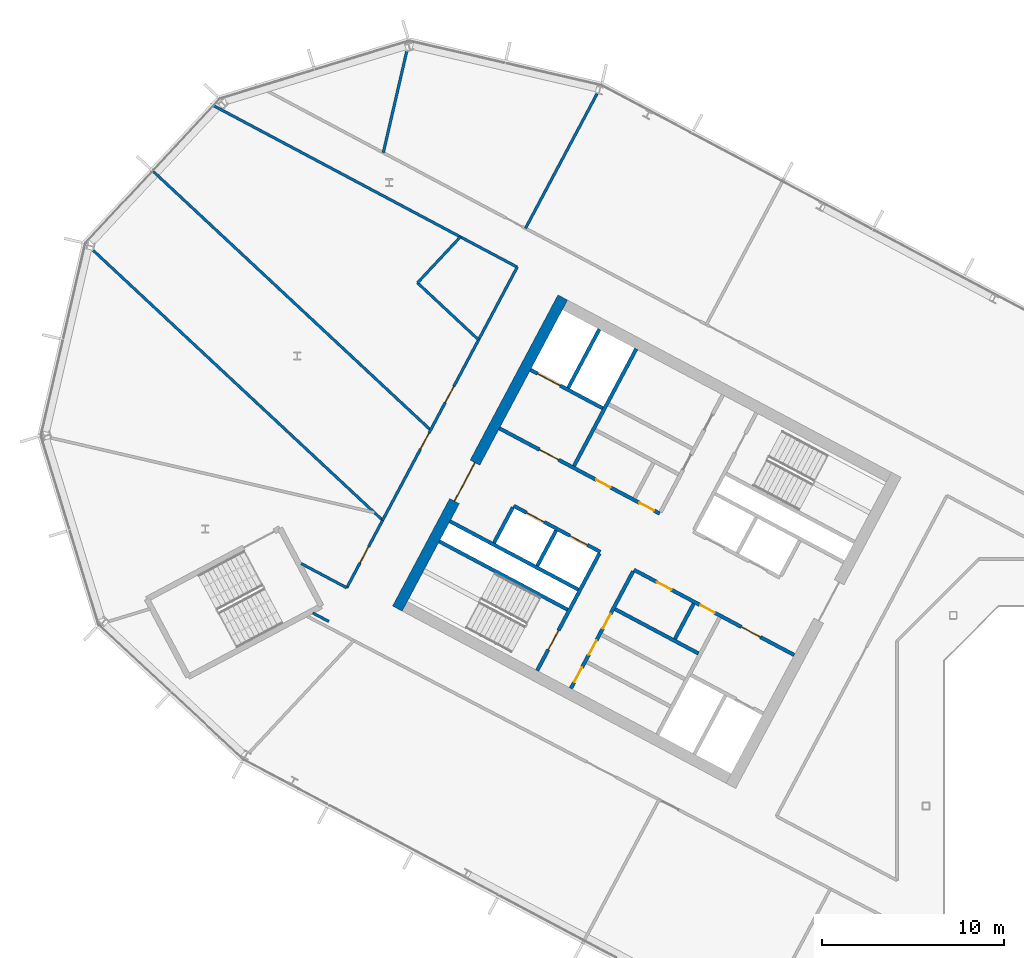
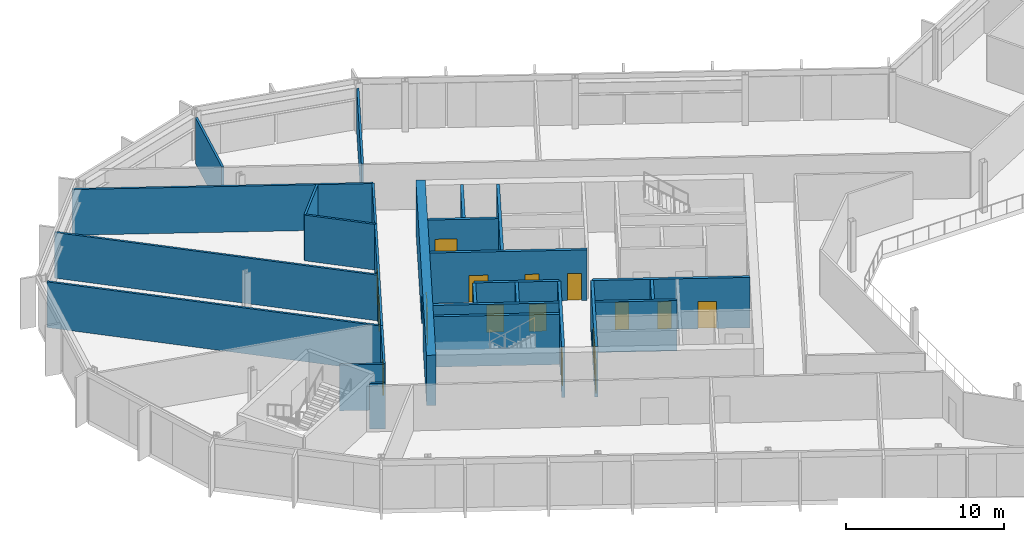
# One storey, part 14 of 27: 26 walls, 17 doors, 17 openings.
"""IFC4 building model written with IfcOpenShell, lengths in metres."""

from ifc_helpers import new_model, si_unit, direction, frame, frame_2d, origin, place, context, subcontext, project, spatial, rectangle, extrude, material, layer, layer_set, type_object, element, fill, save


model = new_model("IFC4")

# Units and contexts
model_context = context("Model", 3, precision=1e-05, world=origin(), true_north=direction((0.0, 1.0)))
body_context = subcontext(model_context, "Body", "Model", "MODEL_VIEW")
ifc_project = project(units=[si_unit("LENGTHUNIT", "METRE"), si_unit("AREAUNIT", "SQUARE_METRE"), si_unit("VOLUMEUNIT", "CUBIC_METRE"), si_unit("PLANEANGLEUNIT", "RADIAN"), si_unit("MASSUNIT", "GRAM", prefix="KILO")], contexts=[model_context])

# Site, building, storey
site_placement = place(None, origin())
site = spatial("IfcSite", under=ifc_project, at=site_placement, CompositionType="ELEMENT")
building_placement = place(site_placement, origin())
building = spatial("IfcBuilding", under=site, at=building_placement, Name="Cormorant Relay Tower", CompositionType="ELEMENT")
storey_placement = place(building_placement, frame((0.0, 0.0, 216.89990234375)))
storey = spatial("IfcBuildingStorey", under=building, at=storey_placement, Name="L47", CompositionType="ELEMENT", Elevation=216.89990234375)

# Walls
ifc_material_1 = material(Name="Concrete 40 MPa", Category="concrete")
ifc_layer_1 = layer(ifc_material_1, 0.199951171875)
ifc_layer_set_1 = layer_set([ifc_layer_1], Name="Core internal wall 200")
wall_type_1 = type_object("IfcWallType", Name="Core internal wall 200", PredefinedType="SOLIDWALL", material=ifc_layer_set_1)
for number, where, z_axis, x_axis, name in (
    (1, (-24.79052734375, 11.142822265625, 0.0), (0.0, 0.0, 1.0), (-0.469487830541, -0.882938942948, 0.0), "L47 core A shaft and room wall"),
    (2, (-32.3662109375, 15.1708984375, 0.0), (0.0, 0.0, 1.0), (-0.469487830541, -0.882938942948, 0.0), "L47 core A shaft and room wall"),
):
    element("IfcWall", number, at=place(storey_placement, frame(where, z_axis=z_axis, x_axis=x_axis)), inside=storey, type_object=wall_type_1, Name=name, PredefinedType="SOLIDWALL", context=body_context, shape_type="SweptSolid", body=[
        extrude(rectangle(XDim=2.2001953125, YDim=0.199951171875, at=frame_2d((1.10009765625, 0.0))), origin(), (0.0, 0.0, 1.0), 3.900146484375),
    ])

# Wall, openings, doors
ifc_material_2 = material(Name="Concrete 50 MPa", Category="concrete")
ifc_layer_2 = layer(ifc_material_2, 0.199951171875)
ifc_layer_set_2 = layer_set([ifc_layer_2], Name="Core shaft wall 200")
wall_type_2 = type_object("IfcWallType", Name="Core shaft wall 200", PredefinedType="SHEAR", material=ifc_layer_set_2)
wall_1_placement = place(storey_placement, frame((-28.128173828125, 12.91748046875, 0.0), z_axis=(0.0, 0.0, 1.0), x_axis=(-0.469454336211, -0.882956752176, 0.0)))
wall_1 = element("IfcWall", 3, at=wall_1_placement, inside=storey, type_object=wall_type_2, Name="L47 core A shaft wall", PredefinedType="SHEAR", context=body_context, shape_type="SweptSolid", body=[
    extrude(rectangle(XDim=7.300048828125, YDim=0.199951171875, at=frame_2d((3.64990234375, 0.0))), origin(), (0.0, 0.0, 1.0), 3.900146484375),
])
opening_1_placement = place(wall_1_placement, frame((2.64990234375, 0.0, 0.0)))
opening_1 = element("IfcOpeningElement", 4, at=opening_1_placement, cuts=wall_1, Name="Opening CDD-268", PredefinedType="OPENING", context=body_context, shape_type="SweptSolid", body=[
    extrude(rectangle(XDim=0.89990234375, YDim=2.10009765625, at=frame_2d((0.449951171875, 1.050048828125))), frame((0.0, 0.10986328125, 0.0), z_axis=(0.0, -1.0, 0.0), x_axis=(1.0, 0.0, 0.0)), (0.0, 0.0, 1.0), 0.219970703125),
])
opening_2_placement = place(wall_1_placement, frame((4.300048828125, 0.0, 0.0)))
opening_2 = element("IfcOpeningElement", 5, at=opening_2_placement, cuts=wall_1, Name="Opening CDD-269", PredefinedType="OPENING", context=body_context, shape_type="SweptSolid", body=[
    extrude(rectangle(XDim=0.89990234375, YDim=2.10009765625, at=frame_2d((0.449951171875, 1.050048828125))), frame((0.0, 0.10986328125, 0.0), z_axis=(0.0, -1.0, 0.0), x_axis=(1.0, 0.0, 0.0)), (0.0, 0.0, 1.0), 0.219970703125),
])
opening_3_placement = place(wall_1_placement, frame((6.0, 0.0, 0.0)))
opening_3 = element("IfcOpeningElement", 6, at=opening_3_placement, cuts=wall_1, Name="Opening CDD-270", PredefinedType="OPENING", context=body_context, shape_type="SweptSolid", body=[
    extrude(rectangle(XDim=0.89990234375, YDim=2.10009765625, at=frame_2d((0.449951171875, 1.050048828125))), frame((0.0, 0.10986328125, 0.0), z_axis=(0.0, -1.0, 0.0), x_axis=(1.0, 0.0, 0.0)), (0.0, 0.0, 1.0), 0.219970703125),
])
ifc_material_3 = material(Name="Steel fire door", Category="steel")
door_type_1 = type_object("IfcDoorType", Name="Core room door 900x2100", OperationType="SINGLE_SWING_LEFT", PredefinedType="DOOR", material=ifc_material_3)
door_1_placement = place(opening_1_placement, origin())
door_1 = element("IfcDoor", 7, at=door_1_placement, inside=storey, type_object=door_type_1, Name="Core room door 900x2100", OperationType="SINGLE_SWING_LEFT", OverallHeight=2.10009765625, OverallWidth=0.89990234375, PredefinedType="DOOR", context=body_context, shape_type="SweptSolid", body=[
    extrude(rectangle(XDim=0.89990234375, YDim=2.10009765625, at=frame_2d((0.449951171875, 1.050048828125))), frame((0.0, 0.02490234375, 0.0), z_axis=(0.0, -1.0, 0.0), x_axis=(1.0, 0.0, 0.0)), (0.0, 0.0, 1.0), 0.050048828125),
])
fill(opening_1, door_1)
door_2_placement = place(opening_2_placement, origin())
door_2 = element("IfcDoor", 8, at=door_2_placement, inside=storey, type_object=door_type_1, Name="Core room door 900x2100", OperationType="SINGLE_SWING_LEFT", OverallHeight=2.10009765625, OverallWidth=0.89990234375, PredefinedType="DOOR", context=body_context, shape_type="SweptSolid", body=[
    extrude(rectangle(XDim=0.89990234375, YDim=2.10009765625, at=frame_2d((0.449951171875, 1.050048828125))), frame((0.0, 0.02490234375, 0.0), z_axis=(0.0, -1.0, 0.0), x_axis=(1.0, 0.0, 0.0)), (0.0, 0.0, 1.0), 0.050048828125),
])
fill(opening_2, door_2)
door_3_placement = place(opening_3_placement, origin())
door_3 = element("IfcDoor", 9, at=door_3_placement, inside=storey, type_object=door_type_1, Name="Core room door 900x2100", OperationType="SINGLE_SWING_LEFT", OverallHeight=2.10009765625, OverallWidth=0.89990234375, PredefinedType="DOOR", context=body_context, shape_type="SweptSolid", body=[
    extrude(rectangle(XDim=0.89990234375, YDim=2.10009765625, at=frame_2d((0.449951171875, 1.050048828125))), frame((0.0, 0.02490234375, 0.0), z_axis=(0.0, -1.0, 0.0), x_axis=(1.0, 0.0, 0.0)), (0.0, 0.0, 1.0), 0.050048828125),
])
fill(opening_3, door_3)

# Wall, opening, door
wall_2_placement = place(storey_placement, frame((-29.982421875, 13.9033203125, 0.0), z_axis=(0.0, 0.0, 1.0), x_axis=(-0.469454336211, -0.882956752176, 0.0)))
wall_2 = element("IfcWall", 10, at=wall_2_placement, inside=storey, type_object=wall_type_2, Name="L47 core A shaft wall", PredefinedType="SHEAR", context=body_context, shape_type="SweptSolid", body=[
    extrude(rectangle(XDim=7.300048828125, YDim=0.199951171875, at=frame_2d((3.64990234375, 0.0))), origin(), (0.0, 0.0, 1.0), 3.900146484375),
])
opening_4_placement = place(wall_2_placement, frame((4.800048828125, 0.0, 0.0)))
opening_4 = element("IfcOpeningElement", 11, at=opening_4_placement, cuts=wall_2, Name="Opening CDB-039", PredefinedType="OPENING", context=body_context, shape_type="SweptSolid", body=[
    extrude(rectangle(XDim=1.199951171875, YDim=2.10009765625, at=frame_2d((0.60009765625, 1.050048828125))), frame((0.0, 0.10986328125, 0.0), z_axis=(0.0, -1.0, 0.0), x_axis=(1.0, 0.0, 0.0)), (0.0, 0.0, 1.0), 0.219970703125),
])
ifc_material_4 = material(Name="Steel fire door", Category="steel")
door_type_2 = type_object("IfcDoorType", Name="Core stair door 1200x2100", OperationType="SINGLE_SWING_LEFT", PredefinedType="DOOR", material=ifc_material_4)
door_4_placement = place(opening_4_placement, frame((1.199951171875, 0.0, 0.0), z_axis=(0.0, 0.0, 1.0), x_axis=(-1.0, 0.0, 0.0)))
door_4 = element("IfcDoor", 12, at=door_4_placement, inside=storey, type_object=door_type_2, Name="Core stair door 1200x2100", OperationType="SINGLE_SWING_RIGHT", OverallHeight=2.10009765625, OverallWidth=1.199951171875, PredefinedType="DOOR", context=body_context, shape_type="SweptSolid", body=[
    extrude(rectangle(XDim=1.199951171875, YDim=2.10009765625, at=frame_2d((0.60009765625, 1.050048828125))), frame((0.0, 0.02490234375, 0.0), z_axis=(0.0, -1.0, 0.0), x_axis=(1.0, 0.0, 0.0)), (0.0, 0.0, 1.0), 0.050048828125),
])
fill(opening_4, door_4)

# Walls
wall_3_placement = place(storey_placement, frame((-27.955322265625, 25.170654296875, 0.0), z_axis=(0.0, 0.0, 1.0), x_axis=(-0.469480409012, -0.88294288918, 0.0)))
element("IfcWall", 13, at=wall_3_placement, inside=storey, type_object=wall_type_2, Name="L47 core A shaft wall", PredefinedType="SHEAR", context=body_context, shape_type="SweptSolid", body=[
    extrude(rectangle(XDim=7.300048828125, YDim=0.199951171875, at=frame_2d((3.64990234375, 0.0))), origin(), (0.0, 0.0, 1.0), 3.900146484375),
])
wall_4_placement = place(storey_placement, frame((-34.750244140625, 16.4384765625, 0.0), z_axis=(0.0, 0.0, 1.0), x_axis=(-0.469401318492, -0.882984938828, 0.0)))
element("IfcWall", 14, at=wall_4_placement, inside=storey, type_object=wall_type_2, Name="L47 core A shaft wall", PredefinedType="SHEAR", context=body_context, shape_type="SweptSolid", body=[
    extrude(rectangle(XDim=2.199951171875, YDim=0.199951171875, at=frame_2d((1.10009765625, 0.0))), origin(), (0.0, 0.0, 1.0), 3.900146484375),
])
wall_5_placement = place(storey_placement, frame((-29.986083984375, 26.250244140625, 0.0), z_axis=(0.0, 0.0, 1.0), x_axis=(-0.469494272526, -0.882935517501, 0.0)))
element("IfcWall", 15, at=wall_5_placement, inside=storey, type_object=wall_type_2, Name="L47 core A shaft wall", PredefinedType="SHEAR", context=body_context, shape_type="SweptSolid", body=[
    extrude(rectangle(XDim=3.64990234375, YDim=0.199951171875, at=frame_2d((1.824951171875, 0.0))), origin(), (0.0, 0.0, 1.0), 3.900146484375),
])

# Wall, opening, door
wall_6_placement = place(storey_placement, frame((-29.80419921875, 21.906494140625, 0.0), z_axis=(0.0, 0.0, 1.0), x_axis=(-0.882960433586, 0.469447412093, 0.0)))
wall_6 = element("IfcWall", 16, at=wall_6_placement, inside=storey, type_object=wall_type_2, Name="L47 core A shaft wall", PredefinedType="SHEAR", context=body_context, shape_type="SweptSolid", body=[
    extrude(rectangle(XDim=4.5, YDim=0.199951171875, at=frame_2d((2.25, 0.0))), origin(), (0.0, 0.0, 1.0), 3.900146484375),
])
opening_5_placement = place(wall_6_placement, frame((2.64990234375, 0.0, 0.0)))
opening_5 = element("IfcOpeningElement", 17, at=opening_5_placement, cuts=wall_6, Name="Opening LD3-015", PredefinedType="OPENING", context=body_context, shape_type="SweptSolid", body=[
    extrude(rectangle(XDim=1.39990234375, YDim=2.39990234375, at=frame_2d((0.699951171875, 1.199951171875))), frame((0.0, 0.10986328125, 0.0), z_axis=(0.0, -1.0, 0.0), x_axis=(1.0, 0.0, 0.0)), (0.0, 0.0, 1.0), 0.219970703125),
])
ifc_material_5 = material(Name="Stainless steel 316", Category="steel")
door_type_3 = type_object("IfcDoorType", Name="Lift landing door 1400x2400", OperationType="DOUBLE_DOOR_SLIDING", PredefinedType="DOOR", material=ifc_material_5)
door_5_placement = place(opening_5_placement, origin())
door_5 = element("IfcDoor", 18, at=door_5_placement, inside=storey, type_object=door_type_3, Name="SV1 landing door", OperationType="DOUBLE_DOOR_SLIDING", OverallHeight=2.39990234375, OverallWidth=1.39990234375, PredefinedType="DOOR", context=body_context, shape_type="SweptSolid", body=[
    extrude(rectangle(XDim=1.39990234375, YDim=2.39990234375, at=frame_2d((0.699951171875, 1.199951171875))), frame((0.0, 0.02490234375, 0.0), z_axis=(0.0, -1.0, 0.0), x_axis=(1.0, 0.0, 0.0)), (0.0, 0.0, 1.0), 0.050048828125),
])
fill(opening_5, door_5)

# Wall, openings, doors
wall_7_placement = place(storey_placement, frame((-26.66162109375, 16.1015625, 0.0), z_axis=(0.0, 0.0, 1.0), x_axis=(-0.882940221191, 0.469485426614, 0.0)))
wall_7 = element("IfcWall", 19, at=wall_7_placement, inside=storey, type_object=wall_type_2, Name="L47 core A shaft wall", PredefinedType="SHEAR", context=body_context, shape_type="SweptSolid", body=[
    extrude(rectangle(XDim=10.0, YDim=0.199951171875, at=frame_2d((5.0, 0.0))), origin(), (0.0, 0.0, 1.0), 3.900146484375),
])
opening_6_placement = place(wall_7_placement, frame((6.300048828125, 0.0, 0.0)))
opening_6 = element("IfcOpeningElement", 20, at=opening_6_placement, cuts=wall_7, Name="Opening CDC-034", PredefinedType="OPENING", context=body_context, shape_type="SweptSolid", body=[
    extrude(rectangle(XDim=1.199951171875, YDim=2.10009765625, at=frame_2d((0.60009765625, 1.050048828125))), frame((0.0, 0.10986328125, 0.0), z_axis=(0.0, -1.0, 0.0), x_axis=(1.0, 0.0, 0.0)), (0.0, 0.0, 1.0), 0.219970703125),
])
opening_7_placement = place(wall_7_placement, frame((0.360107421875, 0.0, 0.0)))
opening_7 = element("IfcOpeningElement", 21, at=opening_7_placement, cuts=wall_7, Name="Opening CDD-234", PredefinedType="OPENING", context=body_context, shape_type="SweptSolid", body=[
    extrude(rectangle(XDim=0.89990234375, YDim=2.10009765625, at=frame_2d((0.449951171875, 1.050048828125))), frame((0.0, 0.10986328125, 0.0), z_axis=(0.0, -1.0, 0.0), x_axis=(1.0, 0.0, 0.0)), (0.0, 0.0, 1.0), 0.219970703125),
])
opening_8_placement = place(wall_7_placement, frame((3.06005859375, 0.0, 0.0)))
opening_8 = element("IfcOpeningElement", 22, at=opening_8_placement, cuts=wall_7, Name="Opening CDD-235", PredefinedType="OPENING", context=body_context, shape_type="SweptSolid", body=[
    extrude(rectangle(XDim=0.89990234375, YDim=2.10009765625, at=frame_2d((0.449951171875, 1.050048828125))), frame((0.0, 0.10986328125, 0.0), z_axis=(0.0, -1.0, 0.0), x_axis=(1.0, 0.0, 0.0)), (0.0, 0.0, 1.0), 0.219970703125),
])
ifc_material_6 = material(Name="Steel fire door", Category="steel")
door_type_4 = type_object("IfcDoorType", Name="Core lobby door 1200x2100", OperationType="SINGLE_SWING_LEFT", PredefinedType="DOOR", material=ifc_material_6)
door_6_placement = place(opening_6_placement, origin())
door_6 = element("IfcDoor", 23, at=door_6_placement, inside=storey, type_object=door_type_4, Name="Core lobby door 1200x2100", OperationType="SINGLE_SWING_LEFT", OverallHeight=2.10009765625, OverallWidth=1.199951171875, PredefinedType="DOOR", context=body_context, shape_type="SweptSolid", body=[
    extrude(rectangle(XDim=1.199951171875, YDim=2.10009765625, at=frame_2d((0.60009765625, 1.050048828125))), frame((0.0, 0.02490234375, 0.0), z_axis=(0.0, -1.0, 0.0), x_axis=(1.0, 0.0, 0.0)), (0.0, 0.0, 1.0), 0.050048828125),
])
fill(opening_6, door_6)
door_7_placement = place(opening_7_placement, frame((0.89990234375, 0.0, 0.0), z_axis=(0.0, 0.0, 1.0), x_axis=(-1.0, 0.0, 0.0)))
door_7 = element("IfcDoor", 24, at=door_7_placement, inside=storey, type_object=door_type_1, Name="Core room door 900x2100", OperationType="SINGLE_SWING_RIGHT", OverallHeight=2.10009765625, OverallWidth=0.89990234375, PredefinedType="DOOR", context=body_context, shape_type="SweptSolid", body=[
    extrude(rectangle(XDim=0.89990234375, YDim=2.10009765625, at=frame_2d((0.449951171875, 1.050048828125))), frame((0.0, 0.02490234375, 0.0), z_axis=(0.0, -1.0, 0.0), x_axis=(1.0, 0.0, 0.0)), (0.0, 0.0, 1.0), 0.050048828125),
])
fill(opening_7, door_7)
door_8_placement = place(opening_8_placement, frame((0.89990234375, 0.0, 0.0), z_axis=(0.0, 0.0, 1.0), x_axis=(-1.0, 0.0, 0.0)))
door_8 = element("IfcDoor", 25, at=door_8_placement, inside=storey, type_object=door_type_1, Name="Core room door 900x2100", OperationType="SINGLE_SWING_RIGHT", OverallHeight=2.10009765625, OverallWidth=0.89990234375, PredefinedType="DOOR", context=body_context, shape_type="SweptSolid", body=[
    extrude(rectangle(XDim=0.89990234375, YDim=2.10009765625, at=frame_2d((0.449951171875, 1.050048828125))), frame((0.0, 0.02490234375, 0.0), z_axis=(0.0, -1.0, 0.0), x_axis=(1.0, 0.0, 0.0)), (0.0, 0.0, 1.0), 0.050048828125),
])
fill(opening_8, door_8)

wall_8_placement = place(storey_placement, frame((-19.251708984375, 8.31103515625, 0.0), z_axis=(0.0, 0.0, 1.0), x_axis=(-0.882955722218, 0.469456273365, 0.0)))
wall_8 = element("IfcWall", 26, at=wall_8_placement, inside=storey, type_object=wall_type_2, Name="L47 core A shaft wall", PredefinedType="SHEAR", context=body_context, shape_type="SweptSolid", body=[
    extrude(rectangle(XDim=10.0, YDim=0.199951171875, at=frame_2d((5.0, 0.0))), origin(), (0.0, 0.0, 1.0), 3.900146484375),
])
opening_9_placement = place(wall_8_placement, frame((2.10009765625, 0.0, 0.0)))
opening_9 = element("IfcOpeningElement", 27, at=opening_9_placement, cuts=wall_8, Name="Opening CDC-033", PredefinedType="OPENING", context=body_context, shape_type="SweptSolid", body=[
    extrude(rectangle(XDim=1.199951171875, YDim=2.10009765625, at=frame_2d((0.60009765625, 1.050048828125))), frame((0.0, 0.10986328125, 0.0), z_axis=(0.0, -1.0, 0.0), x_axis=(1.0, 0.0, 0.0)), (0.0, 0.0, 1.0), 0.219970703125),
])
opening_10_placement = place(wall_8_placement, frame((4.9599609375, 0.0, 0.0)))
opening_10 = element("IfcOpeningElement", 28, at=opening_10_placement, cuts=wall_8, Name="Opening CDD-232", PredefinedType="OPENING", context=body_context, shape_type="SweptSolid", body=[
    extrude(rectangle(XDim=0.89990234375, YDim=2.10009765625, at=frame_2d((0.449951171875, 1.050048828125))), frame((0.0, 0.10986328125, 0.0), z_axis=(0.0, -1.0, 0.0), x_axis=(1.0, 0.0, 0.0)), (0.0, 0.0, 1.0), 0.219970703125),
])
opening_11_placement = place(wall_8_placement, frame((7.659912109375, 0.0, 0.0)))
opening_11 = element("IfcOpeningElement", 29, at=opening_11_placement, cuts=wall_8, Name="Opening CDD-233", PredefinedType="OPENING", context=body_context, shape_type="SweptSolid", body=[
    extrude(rectangle(XDim=0.89990234375, YDim=2.10009765625, at=frame_2d((0.449951171875, 1.050048828125))), frame((0.0, 0.10986328125, 0.0), z_axis=(0.0, -1.0, 0.0), x_axis=(1.0, 0.0, 0.0)), (0.0, 0.0, 1.0), 0.219970703125),
])
door_9_placement = place(opening_9_placement, origin())
door_9 = element("IfcDoor", 30, at=door_9_placement, inside=storey, type_object=door_type_4, Name="Core lobby door 1200x2100", OperationType="SINGLE_SWING_RIGHT", OverallHeight=2.10009765625, OverallWidth=1.199951171875, PredefinedType="DOOR", context=body_context, shape_type="SweptSolid", body=[
    extrude(rectangle(XDim=1.199951171875, YDim=2.10009765625, at=frame_2d((0.60009765625, 1.050048828125))), frame((0.0, 0.02490234375, 0.0), z_axis=(0.0, -1.0, 0.0), x_axis=(1.0, 0.0, 0.0)), (0.0, 0.0, 1.0), 0.050048828125),
])
fill(opening_9, door_9)
door_10_placement = place(opening_10_placement, origin())
door_10 = element("IfcDoor", 31, at=door_10_placement, inside=storey, type_object=door_type_1, Name="Core room door 900x2100", OperationType="SINGLE_SWING_LEFT", OverallHeight=2.10009765625, OverallWidth=0.89990234375, PredefinedType="DOOR", context=body_context, shape_type="SweptSolid", body=[
    extrude(rectangle(XDim=0.89990234375, YDim=2.10009765625, at=frame_2d((0.449951171875, 1.050048828125))), frame((0.0, 0.02490234375, 0.0), z_axis=(0.0, -1.0, 0.0), x_axis=(1.0, 0.0, 0.0)), (0.0, 0.0, 1.0), 0.050048828125),
])
fill(opening_10, door_10)
door_11_placement = place(opening_11_placement, origin())
door_11 = element("IfcDoor", 32, at=door_11_placement, inside=storey, type_object=door_type_1, Name="Core room door 900x2100", OperationType="SINGLE_SWING_LEFT", OverallHeight=2.10009765625, OverallWidth=0.89990234375, PredefinedType="DOOR", context=body_context, shape_type="SweptSolid", body=[
    extrude(rectangle(XDim=0.89990234375, YDim=2.10009765625, at=frame_2d((0.449951171875, 1.050048828125))), frame((0.0, 0.02490234375, 0.0), z_axis=(0.0, -1.0, 0.0), x_axis=(1.0, 0.0, 0.0)), (0.0, 0.0, 1.0), 0.050048828125),
])
fill(opening_11, door_11)

wall_9_placement = place(storey_placement, frame((-29.935302734375, 13.991455078125, 0.0), z_axis=(0.0, 0.0, 1.0), x_axis=(-0.882952937579, 0.469461510692, 0.0)))
wall_9 = element("IfcWall", 33, at=wall_9_placement, inside=storey, type_object=wall_type_2, Name="L47 core A shaft wall", PredefinedType="SHEAR", context=body_context, shape_type="SweptSolid", body=[
    extrude(rectangle(XDim=5.400146484375, YDim=0.199951171875, at=frame_2d((2.7001953125, 0.0))), origin(), (0.0, 0.0, 1.0), 3.900146484375),
])
opening_12_placement = place(wall_9_placement, frame((0.800048828125, 0.0, 0.0)))
opening_12 = element("IfcOpeningElement", 34, at=opening_12_placement, cuts=wall_9, Name="Opening LD1-059", PredefinedType="OPENING", context=body_context, shape_type="SweptSolid", body=[
    extrude(rectangle(XDim=1.10009765625, YDim=2.10009765625, at=frame_2d((0.550048828125, 1.050048828125))), frame((0.0, 0.10986328125, 0.0), z_axis=(0.0, -1.0, 0.0), x_axis=(1.0, 0.0, 0.0)), (0.0, 0.0, 1.0), 0.219970703125),
])
opening_13_placement = place(wall_9_placement, frame((3.5, 0.0, 0.0)))
opening_13 = element("IfcOpeningElement", 35, at=opening_13_placement, cuts=wall_9, Name="Opening LD1-060", PredefinedType="OPENING", context=body_context, shape_type="SweptSolid", body=[
    extrude(rectangle(XDim=1.10009765625, YDim=2.10009765625, at=frame_2d((0.550048828125, 1.050048828125))), frame((0.0, 0.10986328125, 0.0), z_axis=(0.0, -1.0, 0.0), x_axis=(1.0, 0.0, 0.0)), (0.0, 0.0, 1.0), 0.219970703125),
])
ifc_material_7 = material(Name="Stainless steel 316", Category="steel")
door_type_5 = type_object("IfcDoorType", Name="Lift landing door 1100x2100", OperationType="DOUBLE_DOOR_SLIDING", PredefinedType="DOOR", material=ifc_material_7)
door_12_placement = place(opening_12_placement, origin())
door_12 = element("IfcDoor", 36, at=door_12_placement, inside=storey, type_object=door_type_5, Name="MR1 landing door", OperationType="DOUBLE_DOOR_SLIDING", OverallHeight=2.10009765625, OverallWidth=1.10009765625, PredefinedType="DOOR", context=body_context, shape_type="SweptSolid", body=[
    extrude(rectangle(XDim=1.10009765625, YDim=2.10009765625, at=frame_2d((0.550048828125, 1.050048828125))), frame((0.0, 0.02490234375, 0.0), z_axis=(0.0, -1.0, 0.0), x_axis=(1.0, 0.0, 0.0)), (0.0, 0.0, 1.0), 0.050048828125),
])
fill(opening_12, door_12)
door_13_placement = place(opening_13_placement, origin())
door_13 = element("IfcDoor", 37, at=door_13_placement, inside=storey, type_object=door_type_5, Name="MR2 landing door", OperationType="DOUBLE_DOOR_SLIDING", OverallHeight=2.10009765625, OverallWidth=1.10009765625, PredefinedType="DOOR", context=body_context, shape_type="SweptSolid", body=[
    extrude(rectangle(XDim=1.10009765625, YDim=2.10009765625, at=frame_2d((0.550048828125, 1.050048828125))), frame((0.0, 0.02490234375, 0.0), z_axis=(0.0, -1.0, 0.0), x_axis=(1.0, 0.0, 0.0)), (0.0, 0.0, 1.0), 0.050048828125),
])
fill(opening_13, door_13)

# Walls
wall_10_placement = place(storey_placement, frame((-24.5283203125, 8.3984375, 0.0), z_axis=(0.0, 0.0, 1.0), x_axis=(-0.882953967957, 0.469459572775, 0.0)))
element("IfcWall", 38, at=wall_10_placement, inside=storey, type_object=wall_type_2, Name="L47 core A shaft wall", PredefinedType="SHEAR", context=body_context, shape_type="SweptSolid", body=[
    extrude(rectangle(XDim=5.199951171875, YDim=0.199951171875, at=frame_2d((2.60009765625, 0.0))), origin(), (0.0, 0.0, 1.0), 3.900146484375),
])
for number, where, z_axis, x_axis, name in (
    (39, (-31.150390625, 11.91943359375, 0.0), (0.0, 0.0, 1.0), (-0.882940221191, 0.469485426614, 0.0), "L47 core A shaft wall"),
    (40, (-31.7373046875, 10.815673828125, 0.0), (0.0, 0.0, 1.0), (-0.882940221191, 0.469485426614, 0.0), "L47 core A shaft wall"),
):
    element("IfcWall", number, at=place(storey_placement, frame(where, z_axis=z_axis, x_axis=x_axis)), inside=storey, type_object=wall_type_2, Name=name, PredefinedType="SHEAR", context=body_context, shape_type="SweptSolid", body=[
        extrude(rectangle(XDim=8.0, YDim=0.199951171875, at=frame_2d((4.0, 0.0))), origin(), (0.0, 0.0, 1.0), 3.900146484375),
    ])

# Wall, opening, door
ifc_material_8 = material(Name="Concrete 50 MPa", Category="concrete")
ifc_layer_3 = layer(ifc_material_8, 0.60009765625)
ifc_layer_set_3 = layer_set([ifc_layer_3], Name="Core wall 600")
wall_type_3 = type_object("IfcWallType", Name="Core wall 600", PredefinedType="SHEAR", material=ifc_layer_set_3)
wall_11_placement = place(storey_placement, frame((-32.000244140625, 28.000732421875, 0.0), z_axis=(0.0, 0.0, 1.0), x_axis=(-0.469468958625, -0.882948977511, 0.0)))
wall_11 = element("IfcWall", 41, at=wall_11_placement, inside=storey, type_object=wall_type_3, Name="L47 core A wall", PredefinedType="SHEAR", context=body_context, shape_type="SweptSolid", body=[
    extrude(rectangle(XDim=19.39990234375, YDim=0.60009765625, at=frame_2d((9.699951171875, 0.0))), origin(), (0.0, 0.0, 1.0), 3.900146484375),
])
opening_14_placement = place(wall_11_placement, frame((10.300048828125, 0.0, 0.0)))
opening_14 = element("IfcOpeningElement", 42, at=opening_14_placement, cuts=wall_11, Name="Opening CDA-041", PredefinedType="OPENING", context=body_context, shape_type="SweptSolid", body=[
    extrude(rectangle(XDim=2.39990234375, YDim=2.39990234375, at=frame_2d((1.199951171875, 1.199951171875))), frame((0.0, 0.31005859375, 0.0), z_axis=(0.0, -1.0, 0.0), x_axis=(1.0, 0.0, 0.0)), (0.0, 0.0, 1.0), 0.6201171875),
])
ifc_material_9 = material(Name="Steel fire door", Category="steel")
door_type_6 = type_object("IfcDoorType", Name="Core lobby door 2400x2400", OperationType="DOUBLE_DOOR_SINGLE_SWING", PredefinedType="DOOR", material=ifc_material_9)
door_14_placement = place(opening_14_placement, origin())
door_14 = element("IfcDoor", 43, at=door_14_placement, inside=storey, type_object=door_type_6, Name="Core lobby door 2400x2400", OperationType="DOUBLE_DOOR_SINGLE_SWING", OverallHeight=2.39990234375, OverallWidth=2.39990234375, PredefinedType="DOOR", context=body_context, shape_type="SweptSolid", body=[
    extrude(rectangle(XDim=2.39990234375, YDim=2.39990234375, at=frame_2d((1.199951171875, 1.199951171875))), frame((0.0, 0.02490234375, 0.0), z_axis=(0.0, -1.0, 0.0), x_axis=(1.0, 0.0, 0.0)), (0.0, 0.0, 1.0), 0.050048828125),
])
fill(opening_14, door_14)

# Wall, openings, doors
ifc_material_10 = material(Name="Gypsum board fire partition")
ifc_layer_4 = layer(ifc_material_10, 0.14990234375)
ifc_layer_set_4 = layer_set([ifc_layer_4], Name="Corridor partition 150 EI 60")
wall_type_4 = type_object("IfcWallType", Name="Corridor partition 150 EI 60", PredefinedType="PARTITIONING", material=ifc_layer_set_4)
wall_12_placement = place(storey_placement, frame((-41.9208984375, 15.73291015625, 0.0), z_axis=(0.0, 0.0, 1.0), x_axis=(0.469481161914, 0.882942488845, 0.0)))
wall_12 = element("IfcWall", 44, at=wall_12_placement, inside=storey, type_object=wall_type_4, Name="wall/L47/part/007", PredefinedType="PARTITIONING", context=body_context, shape_type="SweptSolid", body=[
    extrude(rectangle(XDim=15.78955078125, YDim=0.14990234375, at=frame_2d((7.894775390625, 0.0))), origin(), (0.0, 0.0, 1.0), 3.5400390625),
])
opening_15_placement = place(wall_12_placement, frame((7.35009765625, 0.0, 0.0)))
opening_15 = element("IfcOpeningElement", 45, at=opening_15_placement, cuts=wall_12, Name="Opening DS-141", PredefinedType="OPENING", context=body_context, shape_type="SweptSolid", body=[
    extrude(rectangle(XDim=1.0, YDim=2.10009765625, at=frame_2d((0.5, 1.050048828125))), frame((0.0, 0.0849609375, 0.0), z_axis=(0.0, -1.0, 0.0), x_axis=(1.0, 0.0, 0.0)), (0.0, 0.0, 1.0), 0.169921875),
])
opening_16_placement = place(wall_12_placement, frame((4.449951171875, 0.0, 0.0)))
opening_16 = element("IfcOpeningElement", 46, at=opening_16_placement, cuts=wall_12, Name="Opening DS-142", PredefinedType="OPENING", context=body_context, shape_type="SweptSolid", body=[
    extrude(rectangle(XDim=1.0, YDim=2.10009765625, at=frame_2d((0.5, 1.050048828125))), frame((0.0, 0.0849609375, 0.0), z_axis=(0.0, -1.0, 0.0), x_axis=(1.0, 0.0, 0.0)), (0.0, 0.0, 1.0), 0.169921875),
])
ifc_material_11 = material(Name="Timber door leaf", Category="wood")
door_type_7 = type_object("IfcDoorType", Name="Suite door 1000x2100", OperationType="SINGLE_SWING_LEFT", PredefinedType="DOOR", material=ifc_material_11)
door_15_placement = place(opening_15_placement, origin())
door_15 = element("IfcDoor", 47, at=door_15_placement, inside=storey, type_object=door_type_7, Name="door/L47/004", OperationType="SINGLE_SWING_RIGHT", OverallHeight=2.10009765625, OverallWidth=1.0, PredefinedType="DOOR", context=body_context, shape_type="SweptSolid", body=[
    extrude(rectangle(XDim=1.0, YDim=2.10009765625, at=frame_2d((0.5, 1.050048828125))), frame((0.0, 0.02490234375, 0.0), z_axis=(0.0, -1.0, 0.0), x_axis=(1.0, 0.0, 0.0)), (0.0, 0.0, 1.0), 0.050048828125),
])
fill(opening_15, door_15)
door_16_placement = place(opening_16_placement, origin())
door_16 = element("IfcDoor", 48, at=door_16_placement, inside=storey, type_object=door_type_7, Name="door/L47/005", OperationType="SINGLE_SWING_RIGHT", OverallHeight=2.10009765625, OverallWidth=1.0, PredefinedType="DOOR", context=body_context, shape_type="SweptSolid", body=[
    extrude(rectangle(XDim=1.0, YDim=2.10009765625, at=frame_2d((0.5, 1.050048828125))), frame((0.0, 0.02490234375, 0.0), z_axis=(0.0, -1.0, 0.0), x_axis=(1.0, 0.0, 0.0)), (0.0, 0.0, 1.0), 0.050048828125),
])
fill(opening_16, door_16)

# Walls
wall_13_placement = place(storey_placement, frame((-34.508056640625, 29.674072265625, 0.0), z_axis=(0.0, 0.0, 1.0), x_axis=(-0.882947928049, 0.469470932384, 0.0)))
element("IfcWall", 49, at=wall_13_placement, inside=storey, type_object=wall_type_4, Name="wall/L47/part/008", PredefinedType="PARTITIONING", context=body_context, shape_type="SweptSolid", body=[
    extrude(rectangle(XDim=19.1279296875, YDim=0.14990234375, at=frame_2d((9.56396484375, 0.0))), origin(), (0.0, 0.0, 1.0), 3.5400390625),
])
wall_14_placement = place(storey_placement, frame((-46.403076171875, 13.346923828125, 0.0), z_axis=(0.0, 0.0, 1.0), x_axis=(0.882942972946, -0.469480251476, 0.0)))
element("IfcWall", 50, at=wall_14_placement, inside=storey, type_object=wall_type_4, Name="wall/L47/part/013", PredefinedType="PARTITIONING", context=body_context, shape_type="SweptSolid", body=[
    extrude(rectangle(XDim=2.837158203125, YDim=0.14990234375, at=frame_2d((1.41845703125, 0.0))), origin(), (0.0, 0.0, 1.0), 3.5400390625),
])

# Wall, opening, door
wall_15_placement = place(storey_placement, frame((-41.9208984375, 15.73291015625, 0.0), z_axis=(0.0, 0.0, 1.0), x_axis=(-0.468752714774, -0.883329435937, 0.0)))
wall_15 = element("IfcWall", 51, at=wall_15_placement, inside=storey, type_object=wall_type_4, Name="wall/L47/part/014", PredefinedType="PARTITIONING", context=body_context, shape_type="SweptSolid", body=[
    extrude(rectangle(XDim=4.213623046875, YDim=0.14990234375, at=frame_2d((2.10693359375, 0.0))), origin(), (0.0, 0.0, 1.0), 3.5400390625),
])
opening_17_placement = place(wall_15_placement, frame((1.64990234375, 0.0, 0.0)))
opening_17 = element("IfcOpeningElement", 52, at=opening_17_placement, cuts=wall_15, Name="Opening DS-143", PredefinedType="OPENING", context=body_context, shape_type="SweptSolid", body=[
    extrude(rectangle(XDim=1.0, YDim=2.10009765625, at=frame_2d((0.5, 1.050048828125))), frame((0.0, 0.0849609375, 0.0), z_axis=(0.0, -1.0, 0.0), x_axis=(1.0, 0.0, 0.0)), (0.0, 0.0, 1.0), 0.169921875),
])
door_17_placement = place(opening_17_placement, frame((1.0, 0.0, 0.0), z_axis=(0.0, 0.0, 1.0), x_axis=(-1.0, 0.0, 0.0)))
door_17 = element("IfcDoor", 53, at=door_17_placement, inside=storey, type_object=door_type_7, Name="door/L47/006", OperationType="SINGLE_SWING_RIGHT", OverallHeight=2.10009765625, OverallWidth=1.0, PredefinedType="DOOR", context=body_context, shape_type="SweptSolid", body=[
    extrude(rectangle(XDim=1.0, YDim=2.10009765625, at=frame_2d((0.5, 1.050048828125))), frame((0.0, 0.02490234375, 0.0), z_axis=(0.0, -1.0, 0.0), x_axis=(1.0, 0.0, 0.0)), (0.0, 0.0, 1.0), 0.050048828125),
])
fill(opening_17, door_17)

# Walls
wall_16_placement = place(storey_placement, frame((-44.883056640625, 10.160888671875, 0.0), z_axis=(0.0, 0.0, 1.0), x_axis=(-0.883332602284, 0.468746747981, 0.0)))
element("IfcWall", 54, at=wall_16_placement, inside=storey, type_object=wall_type_4, Name="wall/L47/part/017", PredefinedType="PARTITIONING", context=body_context, shape_type="SweptSolid", body=[
    extrude(rectangle(XDim=1.005126953125, YDim=0.14990234375, at=frame_2d((0.50244140625, 0.0))), origin(), (0.0, 0.0, 1.0), 3.5400390625),
])
ifc_material_12 = material(Name="Gypsum board partition")
ifc_layer_5 = layer(ifc_material_12, 0.14990234375)
ifc_layer_set_5 = layer_set([ifc_layer_5], Name="Tenant partition 150")
wall_type_5 = type_object("IfcWallType", Name="Tenant partition 150", PredefinedType="PARTITIONING", material=ifc_layer_set_5)
wall_17_placement = place(storey_placement, frame((-54.714111328125, 35.095947265625, 0.0), z_axis=(0.0, 0.0, 1.0), x_axis=(0.731383697129, -0.681966192398, 0.0)))
element("IfcWall", 55, at=wall_17_placement, inside=storey, type_object=wall_type_5, Name="wall/L47/part/002", PredefinedType="PARTITIONING", context=body_context, shape_type="SweptSolid", body=[
    extrude(rectangle(XDim=21.105224609375, YDim=0.14990234375, at=frame_2d((10.552734375, 0.0))), origin(), (0.0, 0.0, 1.0), 3.5400390625),
])
wall_18_placement = place(storey_placement, frame((-41.919921875, 15.73388671875, 0.0), z_axis=(0.0, 0.0, 1.0), x_axis=(-0.731382644917, 0.681967320855, 0.0)))
element("IfcWall", 56, at=wall_18_placement, inside=storey, type_object=wall_type_5, Name="wall/L47/part/003", PredefinedType="PARTITIONING", context=body_context, shape_type="SweptSolid", body=[
    extrude(rectangle(XDim=21.79296875, YDim=0.14990234375, at=frame_2d((10.896484375, 0.0))), origin(), (0.0, 0.0, 1.0), 3.5400390625),
])
wall_19_placement = place(storey_placement, frame((-37.639892578125, 31.339111328125, 0.0), z_axis=(0.0, 0.0, 1.0), x_axis=(-0.681983873773, -0.731367210035, 0.0)))
element("IfcWall", 57, at=wall_19_placement, inside=storey, type_object=wall_type_5, Name="wall/L47/part/005", PredefinedType="PARTITIONING", context=body_context, shape_type="SweptSolid", body=[
    extrude(rectangle(XDim=3.460693359375, YDim=0.14990234375, at=frame_2d((1.73046875, 0.0))), origin(), (0.0, 0.0, 1.0), 3.5400390625),
])
wall_20_placement = place(storey_placement, frame((-40.0, 28.80810546875, 0.0), z_axis=(0.0, 0.0, 1.0), x_axis=(0.731231770063, -0.682129092218, 0.0)))
element("IfcWall", 58, at=wall_20_placement, inside=storey, type_object=wall_type_5, Name="wall/L47/part/006", PredefinedType="PARTITIONING", context=body_context, shape_type="SweptSolid", body=[
    extrude(rectangle(XDim=4.59912109375, YDim=0.14990234375, at=frame_2d((2.299560546875, 0.0))), origin(), (0.0, 0.0, 1.0), 3.5400390625),
])
wall_21_placement = place(storey_placement, frame((-30.110107421875, 39.22509765625, 0.0), z_axis=(0.0, 0.0, 1.0), x_axis=(-0.469401779971, -0.882984693502, 0.0)))
element("IfcWall", 59, at=wall_21_placement, inside=storey, type_object=wall_type_5, Name="wall/L47/part/018", PredefinedType="PARTITIONING", context=body_context, shape_type="SweptSolid", body=[
    extrude(rectangle(XDim=8.397705078125, YDim=0.14990234375, at=frame_2d((4.19873046875, 0.0))), origin(), (0.0, 0.0, 1.0), 3.5400390625),
])
wall_22_placement = place(storey_placement, frame((-41.883056640625, 35.97412109375, 0.0), z_axis=(0.0, 0.0, 1.0), x_axis=(0.225018240408, 0.97435455122, 0.0)))
element("IfcWall", 60, at=wall_22_placement, inside=storey, type_object=wall_type_5, Name="wall/L47/part/019", PredefinedType="PARTITIONING", context=body_context, shape_type="SweptSolid", body=[
    extrude(rectangle(XDim=5.728759765625, YDim=0.14990234375, at=frame_2d((2.8642578125, 0.0))), origin(), (0.0, 0.0, 1.0), 3.5400390625),
])

save(model, "model.ifc")
